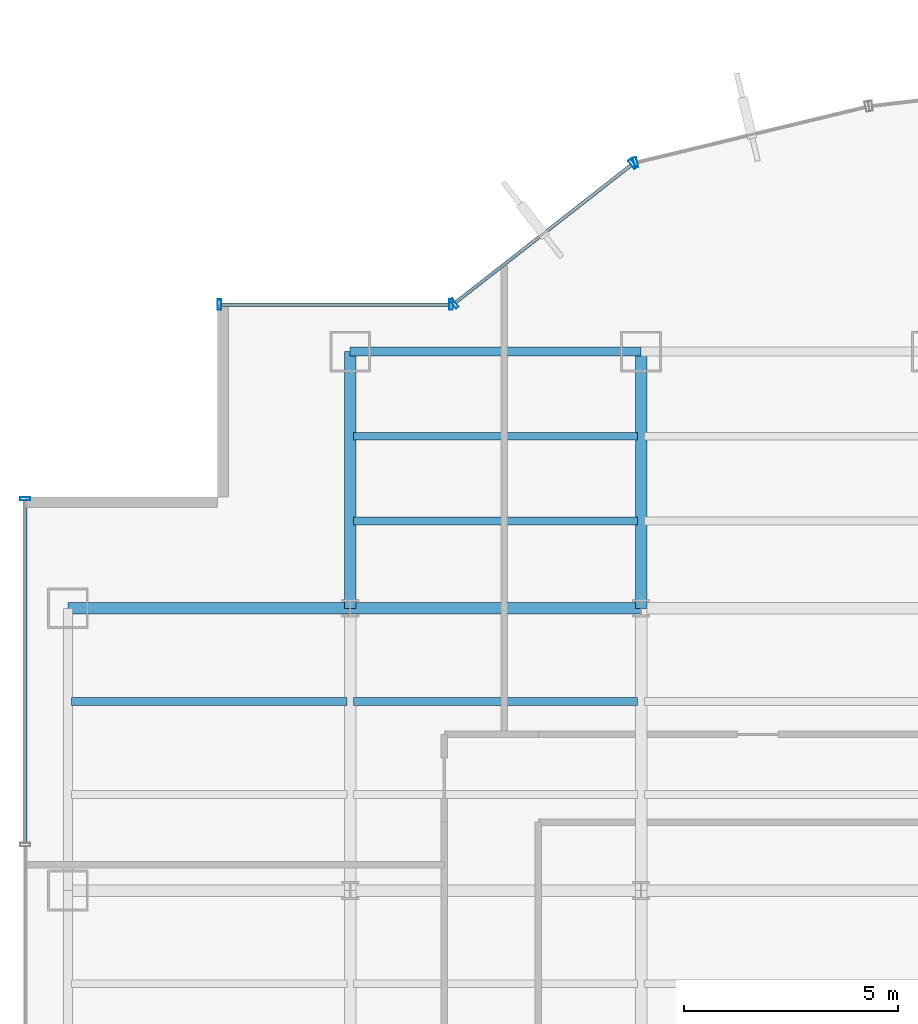
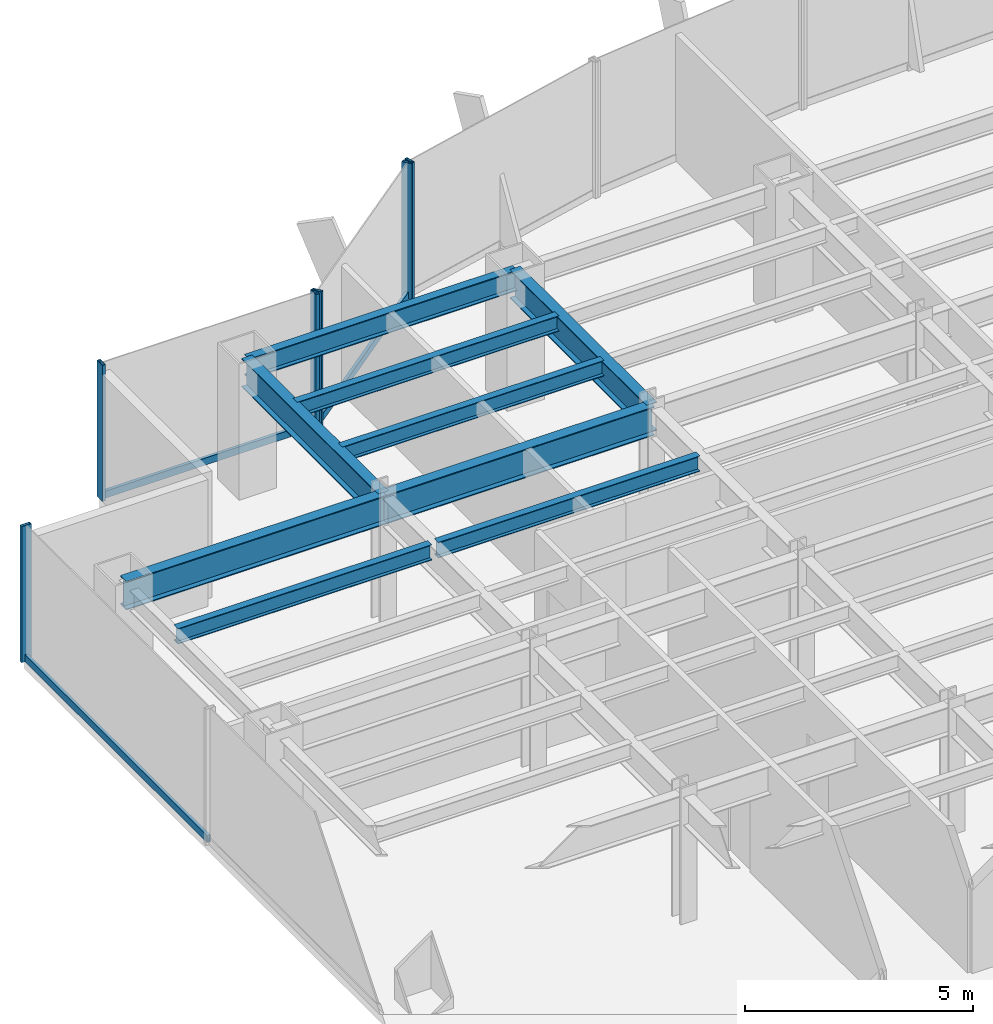
# One storey, part 10 of 22: 9 beams, 9 members, 4 elements without a shape of their own.
"""IFC4 building model written with IfcOpenShell, lengths in metres."""

from ifc_helpers import new_model, si_unit, derived_unit, direction, frame, origin, origin_2d, place, context, subcontext, project, spatial, hollow_rectangle, i_section, extrude, source, transform, mapped, material, material_profile, profile_set, type_object, element, aggregate, save


model = new_model("IFC4")

# Units and contexts
model_context = context("Model", 3, precision=1e-05, world=origin(), true_north=direction((0.0, 1.0)))
body_context = subcontext(model_context, "Body", "Model", "MODEL_VIEW")
ifc_project = project(units=[si_unit("LENGTHUNIT", "METRE"), si_unit("AREAUNIT", "SQUARE_METRE"), si_unit("VOLUMEUNIT", "CUBIC_METRE"), si_unit("PLANEANGLEUNIT", "RADIAN"), si_unit("MASSUNIT", "GRAM", prefix="KILO"), derived_unit("THERMALTRANSMITTANCEUNIT", [(si_unit("POWERUNIT", "WATT"), 1), (si_unit("LENGTHUNIT", "METRE"), -2), (si_unit("THERMODYNAMICTEMPERATUREUNIT", "KELVIN"), -1)])], contexts=[model_context])

# Site, building, storey
site_placement = place(None, origin())
site = spatial("IfcSite", under=ifc_project, at=site_placement, CompositionType="ELEMENT")
building_placement = place(site_placement, origin())
building = spatial("IfcBuilding", under=site, at=building_placement, Name="Skarnbrae Concourse Arena and Tower", CompositionType="ELEMENT")
storey_placement = place(building_placement, frame((0.0, 0.0, 72.64990234375)))
storey = spatial("IfcBuildingStorey", under=building, at=storey_placement, Name="L17", CompositionType="ELEMENT", Elevation=72.64990234375)

# Beams
ifc_material_1 = material(Name="Steel CSA G40.21 350W", Category="steel")
ifc_material_profile_1 = material_profile(ifc_material_1, i_section(OverallWidth=0.26806640625, OverallDepth=0.77001953125, WebThickness=0.015625, FlangeThickness=0.025390625, at=origin_2d()), Name="W760X196")
ifc_profile_set_1 = profile_set([ifc_material_profile_1], Name="Steel CSA G40.21 350W")
beam_type_1 = type_object("IfcBeamType", Name="BM-GIRD-W760X196", PredefinedType="BEAM", material=ifc_profile_set_1)
shared_shape_1 = source(origin(), body_context, "Body", "SweptSolid", [
    extrude(i_section(OverallWidth=0.26806640625, OverallDepth=0.77001953125, WebThickness=0.015625, FlangeThickness=0.025390625, at=origin_2d()), origin(), (0.0, 0.0, 1.0), 6.60009765625),
])
beam_1_placement = place(storey_placement, frame((1.0, 34.39990234375, 3.01513671875), z_axis=(1.0, 0.0, 0.0), x_axis=(0.0, 1.0, 0.0)))
element("IfcBeam", 1, at=beam_1_placement, inside=storey, type_object=beam_type_1, Name="L17 Primary E-W girder Y34.4-1", PredefinedType="BEAM", context=body_context, shape_type="MappedRepresentation", body=[
    mapped(shared_shape_1, transform((0.0, 0.0, 0.0))),
])
shared_shape_2 = source(origin(), body_context, "Body", "SweptSolid", [
    extrude(i_section(OverallWidth=0.26806640625, OverallDepth=0.77001953125, WebThickness=0.015625, FlangeThickness=0.025390625, at=origin_2d()), origin(), (0.0, 0.0, 1.0), 6.7998046875),
])
beam_2_placement = place(storey_placement, frame((7.60009765625, 34.39990234375, 3.01513671875), z_axis=(1.0, 0.0, 0.0), x_axis=(0.0, 1.0, 0.0)))
element("IfcBeam", 2, at=beam_2_placement, inside=storey, type_object=beam_type_1, Name="L17 Primary E-W girder Y34.4-2", PredefinedType="BEAM", context=body_context, shape_type="MappedRepresentation", body=[
    mapped(shared_shape_2, transform((0.0, 0.0, 0.0))),
])
shared_shape_3 = source(origin(), body_context, "Body", "SweptSolid", [
    extrude(i_section(OverallWidth=0.26806640625, OverallDepth=0.77001953125, WebThickness=0.015625, FlangeThickness=0.025390625, at=origin_2d()), origin(), (0.0, 0.0, 1.0), 6.0),
])
for number, where, z_axis, x_axis, name in (
    (3, (7.60009765625, 34.39990234375, 3.01513671875), (0.0, 1.0, 0.0), (-1.0, 0.0, 0.0), "L17 Primary N-S girder X7.6-4"),
    (4, (14.39990234375, 34.39990234375, 3.01513671875), (0.0, 1.0, 0.0), (-1.0, 0.0, 0.0), "L17 Primary N-S girder X14.4-4"),
):
    element("IfcBeam", number, at=place(storey_placement, frame(where, z_axis=z_axis, x_axis=x_axis)), inside=storey, type_object=beam_type_1, Name=name, PredefinedType="BEAM", context=body_context, shape_type="MappedRepresentation", body=[
        mapped(shared_shape_3, transform((0.0, 0.0, 0.0))),
    ])
ifc_material_profile_2 = material_profile(ifc_material_1, i_section(OverallWidth=0.214111328125, OverallDepth=0.549072265625, WebThickness=0.0146484375, FlangeThickness=0.023681640625, at=origin_2d()), Name="W530X138")
ifc_profile_set_2 = profile_set([ifc_material_profile_2], Name="Steel CSA G40.21 350W")
beam_type_2 = type_object("IfcBeamType", Name="BM-SPAN-W530X138", PredefinedType="SPANDREL", material=ifc_profile_set_2)
shared_shape_4 = source(origin(), body_context, "Body", "SweptSolid", [
    extrude(i_section(OverallWidth=0.214111328125, OverallDepth=0.549072265625, WebThickness=0.0146484375, FlangeThickness=0.023681640625, at=origin_2d()), origin(), (0.0, 0.0, 1.0), 6.7998046875),
])
beam_3_placement = place(storey_placement, frame((7.60009765625, 40.39990234375, 3.12548828125), z_axis=(1.0, 0.0, 0.0), x_axis=(0.0, 1.0, 0.0)))
element("IfcBeam", 5, at=beam_3_placement, inside=storey, type_object=beam_type_2, Name="L17 Perimeter spandrel Y40.4-1", PredefinedType="SPANDREL", context=body_context, shape_type="MappedRepresentation", body=[
    mapped(shared_shape_4, transform((0.0, 0.0, 0.0))),
])
ifc_material_profile_3 = material_profile(ifc_material_1, i_section(OverallWidth=0.180908203125, OverallDepth=0.4169921875, WebThickness=0.010986328125, FlangeThickness=0.018310546875, at=origin_2d()), Name="W410X85")
ifc_profile_set_3 = profile_set([ifc_material_profile_3], Name="Steel CSA G40.21 350W")
beam_type_3 = type_object("IfcBeamType", Name="BM-JOIST-W410X85", PredefinedType="JOIST", material=ifc_profile_set_3)
shared_shape_5 = source(origin(), body_context, "Body", "SweptSolid", [
    extrude(i_section(OverallWidth=0.180908203125, OverallDepth=0.4169921875, WebThickness=0.010986328125, FlangeThickness=0.018310546875, at=origin_2d()), origin(), (0.0, 0.0, 1.0), 6.43994140625),
])
beam_4_placement = place(storey_placement, frame((1.080078125, 32.221923828125, 3.191650390625), z_axis=(1.0, 0.0, 0.0), x_axis=(0.0, 1.0, 0.0)))
element("IfcBeam", 6, at=beam_4_placement, inside=storey, type_object=beam_type_3, Name="L17 Secondary floor joist 3.2.1", PredefinedType="JOIST", context=body_context, shape_type="MappedRepresentation", body=[
    mapped(shared_shape_5, transform((0.0, 0.0, 0.0))),
])
shared_shape_6 = source(origin(), body_context, "Body", "SweptSolid", [
    extrude(i_section(OverallWidth=0.180908203125, OverallDepth=0.4169921875, WebThickness=0.010986328125, FlangeThickness=0.018310546875, at=origin_2d()), origin(), (0.0, 0.0, 1.0), 6.64013671875),
])
for number, where, z_axis, x_axis, name in (
    (7, (7.679931640625, 32.221923828125, 3.191650390625), (1.0, 0.0, 0.0), (0.0, 1.0, 0.0), "L17 Secondary floor joist 3.2.2"),
    (8, (7.679931640625, 36.43994140625, 3.191650390625), (1.0, 0.0, 0.0), (0.0, 1.0, 0.0), "L17 Secondary floor joist 4.1.1"),
    (9, (7.679931640625, 38.419921875, 3.191650390625), (1.0, 0.0, 0.0), (0.0, 1.0, 0.0), "L17 Secondary floor joist 4.2.1"),
):
    element("IfcBeam", number, at=place(storey_placement, frame(where, z_axis=z_axis, x_axis=x_axis)), inside=storey, type_object=beam_type_3, Name=name, PredefinedType="JOIST", context=body_context, shape_type="MappedRepresentation", body=[
        mapped(shared_shape_6, transform((0.0, 0.0, 0.0))),
    ])

# Curtain wall, member
ifc_material_2 = material(Name="Bronze anodised aluminium 6063-T6", Category="aluminium")
curtain_wall_type = type_object("IfcCurtainWallType", Name="CW-SYS-02-LOWZONE", PredefinedType="USERDEFINED", material=ifc_material_2)
curtain_wall_1_placement = place(storey_placement, origin())
curtain_wall_1 = element("IfcCurtainWall", 10, at=curtain_wall_1_placement, inside=storey, type_object=curtain_wall_type, Name="L17 Unitised curtain wall CW-L17-E16", ObjectType="UNITISED CURTAIN WALL", PredefinedType="USERDEFINED")
ifc_material_profile_4 = material_profile(ifc_material_2, hollow_rectangle(XDim=0.080078125, YDim=0.18994140625, WallThickness=0.0048828125, at=origin_2d()), Name="ALU-TRAN-80X190")
ifc_profile_set_4 = profile_set([ifc_material_profile_4], Name="Bronze anodised aluminium 6063-T6")
member_type_1 = type_object("IfcMemberType", Name="CWT-CW-02", PredefinedType="USERDEFINED", material=ifc_profile_set_4)
shared_shape_7 = source(origin(), body_context, "Body", "SweptSolid", [
    extrude(hollow_rectangle(XDim=0.080078125, YDim=0.18994140625, WallThickness=0.0048828125, at=origin_2d()), origin(), (0.0, 0.0, 1.0), 5.33984375),
])
member_1_placement = place(storey_placement, frame((9.919921875, 41.5, 0.09521484375), z_axis=(-1.0, 0.0, 0.0), x_axis=(0.0, -1.0, 0.0)))
member_1 = element("IfcMember", 11, at=member_1_placement, type_object=member_type_1, Name="CW-L17-E16 Transom 1", ObjectType="TRANSOM", PredefinedType="USERDEFINED", context=body_context, shape_type="MappedRepresentation", body=[
    mapped(shared_shape_7, transform((0.0, 0.0, 0.0))),
])

curtain_wall_2_placement = place(storey_placement, origin())
curtain_wall_2 = element("IfcCurtainWall", 12, at=curtain_wall_2_placement, inside=storey, type_object=curtain_wall_type, Name="L17 Unitised curtain wall CW-L17-E15", ObjectType="UNITISED CURTAIN WALL", PredefinedType="USERDEFINED")
shared_shape_8 = source(origin(), body_context, "Body", "SweptSolid", [
    extrude(hollow_rectangle(XDim=0.080078125, YDim=0.18994140625, WallThickness=0.0048828125, at=origin_2d()), origin(), (0.0, 0.0, 1.0), 5.215087890625),
])
member_2_placement = place(storey_placement, frame((14.170654296875, 44.762451171875, 0.09521484375), z_axis=(-0.787650196702, -0.616122688784, 0.0), x_axis=(0.616122688784, -0.787650196702, 0.0)))
member_2 = element("IfcMember", 13, at=member_2_placement, type_object=member_type_1, Name="CW-L17-E15 Transom 1", ObjectType="TRANSOM", PredefinedType="USERDEFINED", context=body_context, shape_type="MappedRepresentation", body=[
    mapped(shared_shape_8, transform((0.0, 0.0, 0.0))),
])

curtain_wall_3_placement = place(storey_placement, origin())
curtain_wall_3 = element("IfcCurtainWall", 14, at=curtain_wall_3_placement, inside=storey, type_object=curtain_wall_type, Name="L17 Unitised curtain wall CW-L17-E19", ObjectType="UNITISED CURTAIN WALL", PredefinedType="USERDEFINED")
shared_shape_9 = source(origin(), body_context, "Body", "SweptSolid", [
    extrude(hollow_rectangle(XDim=0.080078125, YDim=0.18994140625, WallThickness=0.0048828125, at=origin_2d()), origin(), (0.0, 0.0, 1.0), 8.0048828125),
])
member_3_placement = place(storey_placement, frame((0.0, 36.919921875, 0.09521484375), z_axis=(0.0, -1.0, 0.0), x_axis=(1.0, 0.0, 0.0)))
member_3 = element("IfcMember", 15, at=member_3_placement, type_object=member_type_1, Name="CW-L17-E19 Transom 1", ObjectType="TRANSOM", PredefinedType="USERDEFINED", context=body_context, shape_type="MappedRepresentation", body=[
    mapped(shared_shape_9, transform((0.0, 0.0, 0.0))),
])

curtain_wall_4_placement = place(storey_placement, origin())
curtain_wall_4 = element("IfcCurtainWall", 16, at=curtain_wall_4_placement, inside=storey, type_object=curtain_wall_type, Name="L17 Unitised curtain wall CW-L17-E14", ObjectType="UNITISED CURTAIN WALL", PredefinedType="USERDEFINED")
ifc_material_profile_5 = material_profile(ifc_material_2, hollow_rectangle(XDim=0.080078125, YDim=0.239990234375, WallThickness=0.0048828125, at=origin_2d()), Name="ALU-MULL-80X240")
ifc_profile_set_5 = profile_set([ifc_material_profile_5], Name="Bronze anodised aluminium 6063-T6")
member_type_2 = type_object("IfcMemberType", Name="CWM-CW-02", PredefinedType="MULLION", material=ifc_profile_set_5)
shared_shape_10 = source(origin(), body_context, "Body", "SweptSolid", [
    extrude(hollow_rectangle(XDim=0.080078125, YDim=0.239990234375, WallThickness=0.0048828125, at=origin_2d()), origin(), (0.0, 0.0, 1.0), 3.650146484375),
])
member_4_placement = place(storey_placement, frame((14.272705078125, 44.821044921875, 0.0), z_axis=(0.0, 0.0, 1.0), x_axis=(-0.971973721569, -0.235089524607, 0.0)))
member_4 = element("IfcMember", 17, at=member_4_placement, type_object=member_type_2, Name="CW-L17-E14 Mullion 2", PredefinedType="MULLION", context=body_context, shape_type="MappedRepresentation", body=[
    mapped(shared_shape_10, transform((0.0, 0.0, 0.0))),
])
aggregate(curtain_wall_4, [member_4])

# Member
member_5_placement = place(storey_placement, frame((14.2021484375, 44.787109375, 0.0), z_axis=(0.0, 0.0, 1.0), x_axis=(-0.787651726054, -0.616120733658, 0.0)))
member_5 = element("IfcMember", 18, at=member_5_placement, type_object=member_type_2, Name="CW-L17-E15 Mullion 1", PredefinedType="MULLION", context=body_context, shape_type="MappedRepresentation", body=[
    mapped(shared_shape_10, transform((0.0, 0.0, 0.0))),
])

member_6_placement = place(storey_placement, frame((10.031494140625, 41.524658203125, 0.0), z_axis=(0.0, 0.0, 1.0), x_axis=(-0.787651726054, -0.616120733658, 0.0)))
member_6 = element("IfcMember", 19, at=member_6_placement, type_object=member_type_2, Name="CW-L17-E15 Mullion 2", PredefinedType="MULLION", context=body_context, shape_type="MappedRepresentation", body=[
    mapped(shared_shape_10, transform((0.0, 0.0, 0.0))),
])

aggregate(curtain_wall_2, [member_5, member_6, member_2])

member_7_placement = place(storey_placement, frame((9.9599609375, 41.5, 0.0), z_axis=(0.0, 0.0, 1.0), x_axis=(-1.0, 0.0, 0.0)))
member_7 = element("IfcMember", 20, at=member_7_placement, type_object=member_type_2, Name="CW-L17-E16 Mullion 1", PredefinedType="MULLION", context=body_context, shape_type="MappedRepresentation", body=[
    mapped(shared_shape_10, transform((0.0, 0.0, 0.0))),
])

member_8_placement = place(storey_placement, frame((4.5400390625, 41.5, 0.0), z_axis=(0.0, 0.0, 1.0), x_axis=(-1.0, 0.0, 0.0)))
member_8 = element("IfcMember", 21, at=member_8_placement, type_object=member_type_2, Name="CW-L17-E16 Mullion 2", PredefinedType="MULLION", context=body_context, shape_type="MappedRepresentation", body=[
    mapped(shared_shape_10, transform((0.0, 0.0, 0.0))),
])

aggregate(curtain_wall_1, [member_7, member_8, member_1])

member_9_placement = place(storey_placement, frame((0.0, 36.9599609375, 0.0), z_axis=(0.0, 0.0, 1.0), x_axis=(0.0, -1.0, 0.0)))
member_9 = element("IfcMember", 22, at=member_9_placement, type_object=member_type_2, Name="CW-L17-E19 Mullion 1", PredefinedType="MULLION", context=body_context, shape_type="MappedRepresentation", body=[
    mapped(shared_shape_10, transform((0.0, 0.0, 0.0))),
])

aggregate(curtain_wall_3, [member_9, member_3])

save(model, "model.ifc")
